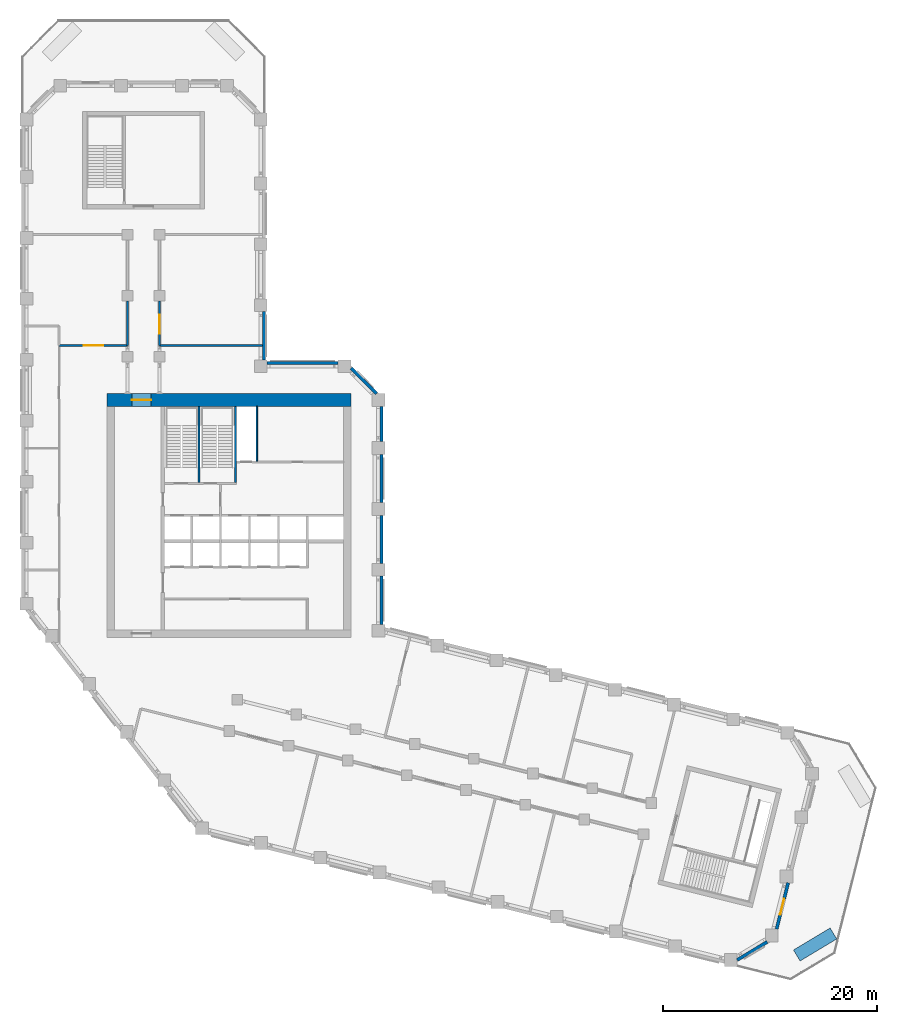
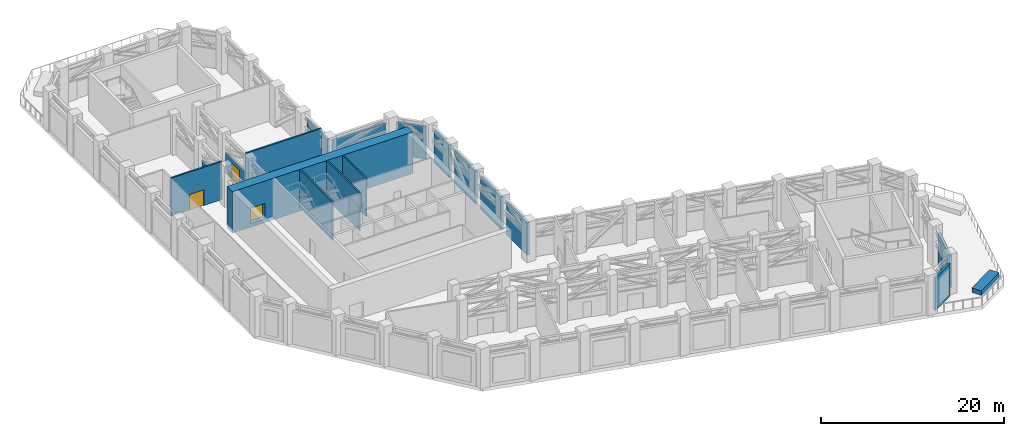
# One storey, part 9 of 14: 18 walls, 4 doors, 4 openings.
"""IFC4 building model written with IfcOpenShell, lengths in metres."""

from ifc_helpers import new_model, si_unit, direction, frame, frame_2d, origin, place, context, subcontext, project, spatial, rectangle, extrude, material, layer, layer_set, type_object, element, fill, save


model = new_model("IFC4")

# Units and contexts
model_context = context("Model", 3, precision=1e-05, world=origin(), true_north=direction((0.0, 1.0)))
body_context = subcontext(model_context, "Body", "Model", "MODEL_VIEW")
ifc_project = project(units=[si_unit("LENGTHUNIT", "METRE"), si_unit("AREAUNIT", "SQUARE_METRE"), si_unit("VOLUMEUNIT", "CUBIC_METRE"), si_unit("PLANEANGLEUNIT", "RADIAN"), si_unit("MASSUNIT", "GRAM", prefix="KILO")], contexts=[model_context])

# Site, building, storey
site_placement = place(None, origin())
site = spatial("IfcSite", under=ifc_project, at=site_placement, CompositionType="ELEMENT")
building_placement = place(site_placement, origin())
building = spatial("IfcBuilding", under=site, at=building_placement, Name="Meshkara Civic Tower", CompositionType="ELEMENT")
storey_placement = place(building_placement, frame((0.0, 0.0, 220.199951171875)))
storey = spatial("IfcBuildingStorey", under=building, at=storey_placement, Name="L50", CompositionType="ELEMENT", Elevation=220.199951171875)

# Wall
ifc_material_1 = material(Name="Blockwork", Category="masonry")
ifc_layer_1 = layer(ifc_material_1, 0.14990234375)
ifc_layer_set_1 = layer_set([ifc_layer_1], Name="Core partition 150")
wall_type_1 = type_object("IfcWallType", Name="Core partition 150", PredefinedType="PARTITIONING", material=ifc_layer_set_1)
wall_1_placement = place(storey_placement, frame((22.0, 30.574951171875, 0.0), z_axis=(0.0, 0.0, 1.0), x_axis=(0.0, 1.0, 0.0)))
element("IfcWall", 1, at=wall_1_placement, inside=storey, type_object=wall_type_1, Name="L50-C017", PredefinedType="PARTITIONING", context=body_context, shape_type="SweptSolid", body=[
    extrude(rectangle(XDim=5.125, YDim=0.14990234375, at=frame_2d((2.5625, 0.0))), origin(), (0.0, 0.0, 1.0), 5.10009765625),
])

# Wall, opening, door
ifc_material_2 = material(Name="Concrete C70", Category="concrete")
ifc_layer_2 = layer(ifc_material_2, 1.199951171875)
ifc_layer_set_2 = layer_set([ifc_layer_2], Name="Core ring wall 1200 C70")
wall_type_2 = type_object("IfcWallType", Name="Core ring wall 1200 C70", PredefinedType="SHEAR", material=ifc_layer_set_2)
wall_2_placement = place(storey_placement, frame((8.0, 36.300048828125, -0.449951171875), z_axis=(0.0, 0.0, 1.0), x_axis=(1.0, 0.0, 0.0)))
wall_2 = element("IfcWall", 2, at=wall_2_placement, inside=storey, type_object=wall_type_2, Name="L50-C002", PredefinedType="SHEAR", context=body_context, shape_type="SweptSolid", body=[
    extrude(rectangle(XDim=22.800048828125, YDim=1.199951171875, at=frame_2d((11.39990234375, 0.0))), origin(), (0.0, 0.0, 1.0), 5.550048828125),
])
opening_1_placement = place(wall_2_placement, frame((2.300048828125, 0.0, 0.449951171875)))
opening_1 = element("IfcOpeningElement", 3, at=opening_1_placement, cuts=wall_2, Name="Opening L50-K018", PredefinedType="OPENING", context=body_context, shape_type="SweptSolid", body=[
    extrude(rectangle(XDim=1.800048828125, YDim=2.10009765625, at=frame_2d((0.89990234375, 1.050048828125))), frame((0.0, 0.60986328125, 0.0), z_axis=(0.0, -1.0, 0.0), x_axis=(1.0, 0.0, 0.0)), (0.0, 0.0, 1.0), 1.219970703125),
])
ifc_material_3 = material(Name="Fire-rated door leaf in steel frame", Category="steel")
door_type_1 = type_object("IfcDoorType", Name="Core double door 1800 EI 60", OperationType="DOUBLE_DOOR_SINGLE_SWING", PredefinedType="DOOR", material=ifc_material_3)
door_1_placement = place(opening_1_placement, origin())
door_1 = element("IfcDoor", 4, at=door_1_placement, inside=storey, type_object=door_type_1, Name="L50-K018", OperationType="DOUBLE_DOOR_SINGLE_SWING", OverallHeight=2.10009765625, OverallWidth=1.800048828125, PredefinedType="DOOR", context=body_context, shape_type="SweptSolid", body=[
    extrude(rectangle(XDim=1.800048828125, YDim=2.10009765625, at=frame_2d((0.89990234375, 1.050048828125))), frame((0.0, 0.02490234375, 0.0), z_axis=(0.0, -1.0, 0.0), x_axis=(1.0, 0.0, 0.0)), (0.0, 0.0, 1.0), 0.050048828125),
])
fill(opening_1, door_1)

# Walls
ifc_material_4 = material(Name="Insulated infill panel with bronze anodised aluminium cladding", Category="aluminium")
ifc_layer_3 = layer(ifc_material_4, 0.300048828125)
ifc_layer_set_3 = layer_set([ifc_layer_3], Name="EXTERNAL INFILL WALL 300")
wall_type_3 = type_object("IfcWallType", Name="EXTERNAL INFILL WALL 300", PredefinedType="SOLIDWALL", material=ifc_layer_set_3)
wall_3_placement = place(storey_placement, frame((33.64990234375, 15.319091796875, 0.0), z_axis=(0.0, 0.0, 1.0), x_axis=(0.0, 1.0, 0.0)))
element("IfcWall", 5, at=wall_3_placement, inside=storey, type_object=wall_type_3, Name="External wall", PredefinedType="SOLIDWALL", context=body_context, shape_type="SweptSolid", body=[
    extrude(rectangle(XDim=4.5, YDim=0.300048828125, at=frame_2d((2.25, 0.0))), origin(), (0.0, 0.0, 1.0), 4.35009765625),
])
for number, where, z_axis, x_axis, name in (
    (6, (33.64990234375, 21.02001953125, 0.0), (0.0, 0.0, 1.0), (0.0, 1.0, 0.0), "External wall"),
    (7, (33.64990234375, 26.719970703125, 0.0), (0.0, 0.0, 1.0), (0.0, 1.0, 0.0), "External wall"),
):
    element("IfcWall", number, at=place(storey_placement, frame(where, z_axis=z_axis, x_axis=x_axis)), inside=storey, type_object=wall_type_3, Name=name, PredefinedType="SOLIDWALL", context=body_context, shape_type="SweptSolid", body=[
        extrude(rectangle(XDim=4.498046875, YDim=0.300048828125, at=frame_2d((2.2490234375, 0.0))), origin(), (0.0, 0.0, 1.0), 4.35009765625),
    ])
wall_4_placement = place(storey_placement, frame((33.64990234375, 32.4189453125, 0.0), z_axis=(0.0, 0.0, 1.0), x_axis=(0.0, 1.0, 0.0)))
element("IfcWall", 8, at=wall_4_placement, inside=storey, type_object=wall_type_3, Name="External wall", PredefinedType="SOLIDWALL", context=body_context, shape_type="SweptSolid", body=[
    extrude(rectangle(XDim=3.275146484375, YDim=0.300048828125, at=frame_2d((1.6376953125, 0.0))), origin(), (0.0, 0.0, 1.0), 4.35009765625),
])
wall_5_placement = place(storey_placement, frame((33.174072265625, 36.89404296875, 0.0), z_axis=(0.0, 0.0, 1.0), x_axis=(-0.707143047722, 0.707070512791, 0.0)))
element("IfcWall", 9, at=wall_5_placement, inside=storey, type_object=wall_type_3, Name="External wall", PredefinedType="SOLIDWALL", context=body_context, shape_type="SweptSolid", body=[
    extrude(rectangle(XDim=3.36572265625, YDim=0.300048828125, at=frame_2d((1.682861328125, 0.0))), origin(), (0.0, 0.0, 1.0), 4.35009765625),
])
wall_6_placement = place(storey_placement, frame((29.593017578125, 39.75, 0.0), z_axis=(0.0, 0.0, 1.0), x_axis=(-1.0, 0.0, 0.0)))
element("IfcWall", 10, at=wall_6_placement, inside=storey, type_object=wall_type_3, Name="External wall", PredefinedType="SOLIDWALL", context=body_context, shape_type="SweptSolid", body=[
    extrude(rectangle(XDim=6.64208984375, YDim=0.300048828125, at=frame_2d((3.321044921875, 0.0))), origin(), (0.0, 0.0, 1.0), 4.35009765625),
])
wall_7_placement = place(storey_placement, frame((22.64990234375, 40.050048828125, 0.0), z_axis=(0.0, 0.0, 1.0), x_axis=(0.0, 1.0, 0.0)))
element("IfcWall", 11, at=wall_7_placement, inside=storey, type_object=wall_type_3, Name="External wall", PredefinedType="SOLIDWALL", context=body_context, shape_type="SweptSolid", body=[
    extrude(rectangle(XDim=4.5, YDim=0.300048828125, at=frame_2d((2.25, 0.0))), origin(), (0.0, 0.0, 1.0), 4.35009765625),
])
wall_8_placement = place(storey_placement, frame((66.89599609375, -16.054931640625, 0.0), z_axis=(0.0, 0.0, 1.0), x_axis=(0.857098444617, 0.515152653333, 0.0)))
element("IfcWall", 12, at=wall_8_placement, inside=storey, type_object=wall_type_3, Name="External wall", PredefinedType="SOLIDWALL", context=body_context, shape_type="SweptSolid", body=[
    extrude(rectangle(XDim=3.278564453125, YDim=0.300048828125, at=frame_2d((1.63916015625, 0.0))), origin(), (0.0, 0.0, 1.0), 4.35009765625),
])

# Wall, opening, door
wall_9_placement = place(storey_placement, frame((70.5810546875, -13.166015625, 0.0), z_axis=(0.0, 0.0, 1.0), x_axis=(0.241917839369, 0.970296737599, 0.0)))
wall_9 = element("IfcWall", 13, at=wall_9_placement, inside=storey, type_object=wall_type_3, Name="External wall", PredefinedType="SOLIDWALL", context=body_context, shape_type="SweptSolid", body=[
    extrude(rectangle(XDim=4.463623046875, YDim=0.300048828125, at=frame_2d((2.23193359375, 0.0))), origin(), (0.0, 0.0, 1.0), 4.35009765625),
])
opening_2_placement = place(wall_9_placement, frame((1.406005859375, 0.0, 0.0)))
opening_2 = element("IfcOpeningElement", 14, at=opening_2_placement, cuts=wall_9, Name="Opening L50-L002", PredefinedType="OPENING", context=body_context, shape_type="SweptSolid", body=[
    extrude(rectangle(XDim=1.5, YDim=2.39990234375, at=frame_2d((0.75, 1.199951171875))), frame((0.0, 0.159912109375, 0.0), z_axis=(0.0, -1.0, 0.0), x_axis=(1.0, 0.0, 0.0)), (0.0, 0.0, 1.0), 0.320068359375),
])
ifc_material_5 = material(Name="Bronze anodised aluminium", Category="aluminium")
door_type_2 = type_object("IfcDoorType", Name="TERRACE DOOR 1500x2400", OperationType="DOUBLE_DOOR_SINGLE_SWING", PredefinedType="DOOR", material=ifc_material_5)
door_2_placement = place(opening_2_placement, origin())
door_2 = element("IfcDoor", 15, at=door_2_placement, inside=storey, type_object=door_type_2, Name="L50-L002", OperationType="DOUBLE_DOOR_SINGLE_SWING", OverallHeight=2.39990234375, OverallWidth=1.5, PredefinedType="DOOR", context=body_context, shape_type="SweptSolid", body=[
    extrude(rectangle(XDim=1.5, YDim=2.39990234375, at=frame_2d((0.75, 1.199951171875))), frame((0.0, 0.02490234375, 0.0), z_axis=(0.0, -1.0, 0.0), x_axis=(1.0, 0.0, 0.0)), (0.0, 0.0, 1.0), 0.050048828125),
])
fill(opening_2, door_2)

ifc_material_6 = material(Name="Fire-rated wall 200")
ifc_layer_4 = layer(ifc_material_6, 0.199951171875)
ifc_layer_set_4 = layer_set([ifc_layer_4], Name="Fire-rated wall 200")
wall_type_4 = type_object("IfcWallType", Name="Fire-rated wall 200", PredefinedType="PARTITIONING", material=ifc_layer_set_4)
wall_10_placement = place(storey_placement, frame((9.89990234375, 41.39990234375, 0.0), z_axis=(0.0, 0.0, 1.0), x_axis=(-1.0, 0.0, 0.0)))
wall_10 = element("IfcWall", 16, at=wall_10_placement, inside=storey, type_object=wall_type_4, Name="L50-R003", PredefinedType="PARTITIONING", context=body_context, shape_type="SweptSolid", body=[
    extrude(rectangle(XDim=6.39990234375, YDim=0.199951171875, at=frame_2d((3.199951171875, 0.0))), origin(), (0.0, 0.0, 1.0), 5.10009765625),
])
opening_3_placement = place(wall_10_placement, frame((2.280029296875, 0.0, 0.0)))
opening_3 = element("IfcOpeningElement", 17, at=opening_3_placement, cuts=wall_10, Name="Opening L50-P013", PredefinedType="OPENING", context=body_context, shape_type="SweptSolid", body=[
    extrude(rectangle(XDim=1.800048828125, YDim=2.10009765625, at=frame_2d((0.89990234375, 1.050048828125))), frame((0.0, 0.10986328125, 0.0), z_axis=(0.0, -1.0, 0.0), x_axis=(1.0, 0.0, 0.0)), (0.0, 0.0, 1.0), 0.219970703125),
])
ifc_material_7 = material(Name="Door pair 1800 x 2100")
door_type_3 = type_object("IfcDoorType", Name="Door pair 1800 x 2100", OperationType="SINGLE_SWING_LEFT", PredefinedType="DOOR", material=ifc_material_7)
door_3_placement = place(opening_3_placement, origin())
door_3 = element("IfcDoor", 18, at=door_3_placement, inside=storey, type_object=door_type_3, Name="L50-P013", OperationType="DOUBLE_DOOR_SINGLE_SWING", OverallHeight=2.10009765625, OverallWidth=1.800048828125, PredefinedType="DOOR", context=body_context, shape_type="SweptSolid", body=[
    extrude(rectangle(XDim=1.800048828125, YDim=2.10009765625, at=frame_2d((0.89990234375, 1.050048828125))), frame((0.0, 0.02490234375, 0.0), z_axis=(0.0, -1.0, 0.0), x_axis=(1.0, 0.0, 0.0)), (0.0, 0.0, 1.0), 0.050048828125),
])
fill(opening_3, door_3)

# Wall
wall_11_placement = place(storey_placement, frame((9.89990234375, 45.530029296875, 0.0), z_axis=(0.0, 0.0, 1.0), x_axis=(0.0, -1.0, 0.0)))
element("IfcWall", 19, at=wall_11_placement, inside=storey, type_object=wall_type_4, Name="L50-R004", PredefinedType="PARTITIONING", context=body_context, shape_type="SweptSolid", body=[
    extrude(rectangle(XDim=4.130126953125, YDim=0.199951171875, at=frame_2d((2.06494140625, 0.0))), origin(), (0.0, 0.0, 1.0), 2.699951171875),
])

# Wall, opening, door
wall_12_placement = place(storey_placement, frame((12.89990234375, 41.39990234375, 0.0), z_axis=(0.0, 0.0, 1.0), x_axis=(0.0, 1.0, 0.0)))
wall_12 = element("IfcWall", 20, at=wall_12_placement, inside=storey, type_object=wall_type_4, Name="L50-R008", PredefinedType="PARTITIONING", context=body_context, shape_type="SweptSolid", body=[
    extrude(rectangle(XDim=4.130126953125, YDim=0.199951171875, at=frame_2d((2.06494140625, 0.0))), origin(), (0.0, 0.0, 1.0), 2.699951171875),
])
opening_4_placement = place(wall_12_placement, frame((1.080078125, 0.0, 0.0)))
opening_4 = element("IfcOpeningElement", 21, at=opening_4_placement, cuts=wall_12, Name="Opening L50-P014", PredefinedType="OPENING", context=body_context, shape_type="SweptSolid", body=[
    extrude(rectangle(XDim=1.800048828125, YDim=2.10009765625, at=frame_2d((0.89990234375, 1.050048828125))), frame((0.0, 0.10986328125, 0.0), z_axis=(0.0, -1.0, 0.0), x_axis=(1.0, 0.0, 0.0)), (0.0, 0.0, 1.0), 0.219970703125),
])
door_4_placement = place(opening_4_placement, origin())
door_4 = element("IfcDoor", 22, at=door_4_placement, inside=storey, type_object=door_type_3, Name="L50-P014", OperationType="DOUBLE_DOOR_SINGLE_SWING", OverallHeight=2.10009765625, OverallWidth=1.800048828125, PredefinedType="DOOR", context=body_context, shape_type="SweptSolid", body=[
    extrude(rectangle(XDim=1.800048828125, YDim=2.10009765625, at=frame_2d((0.89990234375, 1.050048828125))), frame((0.0, 0.02490234375, 0.0), z_axis=(0.0, -1.0, 0.0), x_axis=(1.0, 0.0, 0.0)), (0.0, 0.0, 1.0), 0.050048828125),
])
fill(opening_4, door_4)

# Walls
wall_13_placement = place(storey_placement, frame((22.52001953125, 41.39990234375, 0.0), z_axis=(0.0, 0.0, 1.0), x_axis=(-1.0, 0.0, 0.0)))
element("IfcWall", 23, at=wall_13_placement, inside=storey, type_object=wall_type_4, Name="L50-R012", PredefinedType="PARTITIONING", context=body_context, shape_type="SweptSolid", body=[
    extrude(rectangle(XDim=9.6201171875, YDim=0.199951171875, at=frame_2d((4.81005859375, 0.0))), origin(), (0.0, 0.0, 1.0), 5.10009765625),
])
ifc_material_8 = material(Name="Concrete C40", Category="concrete")
ifc_layer_5 = layer(ifc_material_8, 1.199951171875)
ifc_layer_set_5 = layer_set([ifc_layer_5], Name="PLANTING BED")
wall_type_5 = type_object("IfcWallType", Name="PLANTING BED", PredefinedType="SOLIDWALL", material=ifc_layer_set_5)
wall_14_placement = place(storey_placement, frame((75.89404296875, -13.577880859375, 0.0), z_axis=(0.0, 0.0, 1.0), x_axis=(-0.857196598171, -0.514989312593, 0.0)))
element("IfcWall", 24, at=wall_14_placement, inside=storey, type_object=wall_type_5, Name="Planting bed", PredefinedType="SOLIDWALL", context=body_context, shape_type="SweptSolid", body=[
    extrude(rectangle(XDim=4.000244140625, YDim=1.199951171875, at=frame_2d((2.0, 0.0))), origin(), (0.0, 0.0, 1.0), 0.60009765625),
])
ifc_material_9 = material(Name="Concrete C40/50", Category="concrete")
ifc_layer_6 = layer(ifc_material_9, 0.199951171875)
ifc_layer_set_6 = layer_set([ifc_layer_6], Name="Stair enclosure wall 200 C40/50")
wall_type_6 = type_object("IfcWallType", Name="Stair enclosure wall 200 C40/50", PredefinedType="SOLIDWALL", material=ifc_layer_set_6)
for number, where, z_axis, x_axis, name in (
    (25, (16.60009765625, 28.60009765625, 0.0), (0.0, 0.0, 1.0), (0.0, 1.0, 0.0), "L50-C013"),
    (26, (20.0, 28.60009765625, 0.0), (0.0, 0.0, 1.0), (0.0, 1.0, 0.0), "L50-C015"),
):
    element("IfcWall", number, at=place(storey_placement, frame(where, z_axis=z_axis, x_axis=x_axis)), inside=storey, type_object=wall_type_6, Name=name, PredefinedType="SOLIDWALL", context=body_context, shape_type="SweptSolid", body=[
        extrude(rectangle(XDim=7.099853515625, YDim=0.199951171875, at=frame_2d((3.5498046875, 0.0))), origin(), (0.0, 0.0, 1.0), 5.10009765625),
    ])

save(model, "model.ifc")
